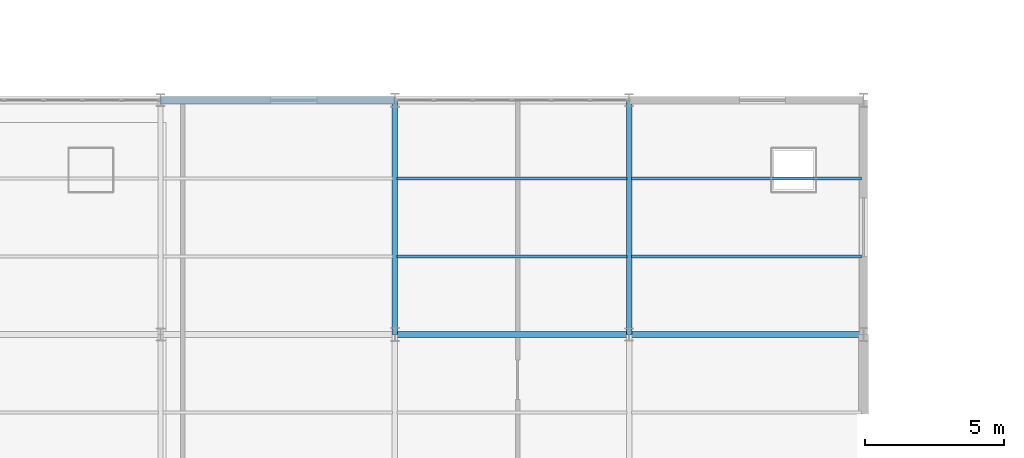
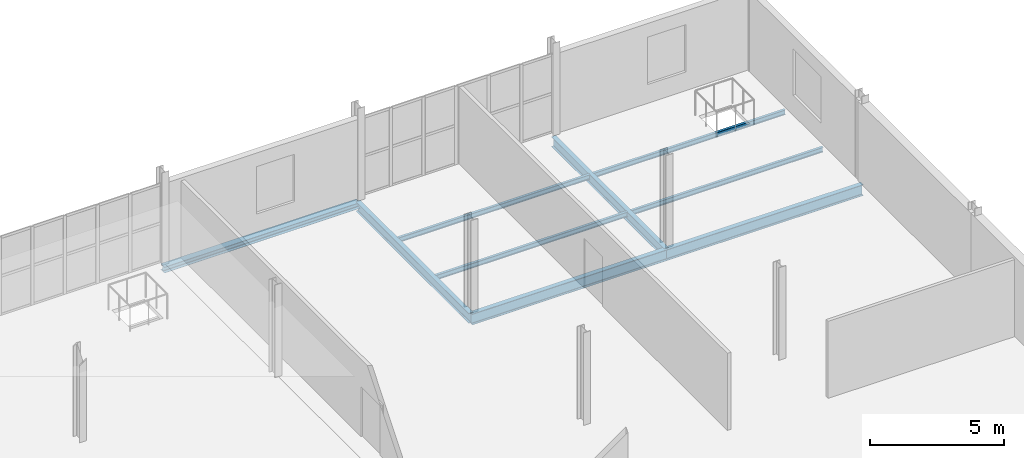
# One storey, part 28 of 65: 9 beams.
"""IFC4 building model written with IfcOpenShell, lengths in metres."""

from ifc_helpers import new_model, si_unit, direction, frame, origin, origin_2d, place, context, subcontext, project, spatial, i_section, extrude, material, material_profile, profile_set, type_object, element, save


model = new_model("IFC4")

# Units and contexts
model_context = context("Model", 3, precision=1e-05, world=origin(), true_north=direction((0.0, 1.0)))
body_context = subcontext(model_context, "Body", "Model", "MODEL_VIEW")
ifc_project = project(units=[si_unit("LENGTHUNIT", "METRE"), si_unit("AREAUNIT", "SQUARE_METRE"), si_unit("VOLUMEUNIT", "CUBIC_METRE"), si_unit("PLANEANGLEUNIT", "RADIAN"), si_unit("MASSUNIT", "GRAM", prefix="KILO")], contexts=[model_context])

# Site, building, storey
site_placement = place(None, origin())
site = spatial("IfcSite", under=ifc_project, at=site_placement, CompositionType="ELEMENT")
building_placement = place(site_placement, origin())
building = spatial("IfcBuilding", under=site, at=building_placement, Name="Qalvenar Corner Mobility Hub", CompositionType="ELEMENT")
storey_placement = place(building_placement, frame((0.0, 0.0, 17.39990234375)))
storey = spatial("IfcBuildingStorey", under=building, at=storey_placement, Name="L04", CompositionType="ELEMENT", Elevation=17.39990234375)

# Beams
ifc_material = material(Name="Steel S355", Category="steel")
ifc_material_profile_1 = material_profile(ifc_material, i_section(OverallWidth=0.18994140625, OverallDepth=0.449951171875, WebThickness=0.009521484375, FlangeThickness=0.0146484375, FilletRadius=0.02099609375, at=origin_2d()), Name="IPE450")
ifc_profile_set_1 = profile_set([ifc_material_profile_1], Name="Steel S355")
beam_type_1 = type_object("IfcBeamType", Name="BM-IPE450", PredefinedType="BEAM", material=ifc_profile_set_1)
for number, where, z_axis, x_axis, name in (
    (1, (33.60009765625, 33.60009765625, -0.40478515625), (0.0, 1.0, 0.0), (-1.0, 0.0, 0.0), "Primary Steel Girder GY-2651"),
    (2, (42.0, 33.60009765625, -0.40478515625), (0.0, 1.0, 0.0), (-1.0, 0.0, 0.0), "Primary Steel Girder GY-2656"),
):
    element("IfcBeam", number, at=place(storey_placement, frame(where, z_axis=z_axis, x_axis=x_axis)), inside=storey, type_object=beam_type_1, Name=name, PredefinedType="BEAM", context=body_context, shape_type="SweptSolid", body=[
        extrude(i_section(OverallWidth=0.18994140625, OverallDepth=0.449951171875, WebThickness=0.009521484375, FlangeThickness=0.0146484375, FilletRadius=0.02099609375, at=origin_2d()), origin(), (0.0, 0.0, 1.0), 8.39990234375),
    ])
ifc_material_profile_2 = material_profile(ifc_material, i_section(OverallWidth=0.199951171875, OverallDepth=0.5, WebThickness=0.01025390625, FlangeThickness=0.01611328125, FilletRadius=0.02099609375, at=origin_2d()), Name="IPE500")
ifc_profile_set_2 = profile_set([ifc_material_profile_2], Name="Steel S355")
beam_type_2 = type_object("IfcBeamType", Name="BM-IPE500", PredefinedType="BEAM", material=ifc_profile_set_2)
for number, where, z_axis, x_axis, name in (
    (3, (33.60009765625, 33.60009765625, -0.429931640625), (1.0, 0.0, 0.0), (0.0, 1.0, 0.0), "Primary Steel Girder GX-2619"),
    (4, (42.0, 33.60009765625, -0.429931640625), (1.0, 0.0, 0.0), (0.0, 1.0, 0.0), "Primary Steel Girder GX-2620"),
):
    element("IfcBeam", number, at=place(storey_placement, frame(where, z_axis=z_axis, x_axis=x_axis)), inside=storey, type_object=beam_type_2, Name=name, PredefinedType="BEAM", context=body_context, shape_type="SweptSolid", body=[
        extrude(i_section(OverallWidth=0.199951171875, OverallDepth=0.5, WebThickness=0.01025390625, FlangeThickness=0.01611328125, FilletRadius=0.02099609375, at=origin_2d()), origin(), (0.0, 0.0, 1.0), 8.39990234375),
    ])
ifc_material_profile_3 = material_profile(ifc_material, i_section(OverallWidth=0.110107421875, OverallDepth=0.219970703125, WebThickness=0.005859375, FlangeThickness=0.00927734375, FilletRadius=0.011962890625, at=origin_2d()), Name="IPE220")
ifc_profile_set_3 = profile_set([ifc_material_profile_3], Name="Steel S355")
beam_type_3 = type_object("IfcBeamType", Name="BM-JST220", PredefinedType="JOIST", material=ifc_profile_set_3)
for number, where, z_axis, x_axis, name in (
    (5, (33.677978515625, 36.39990234375, -0.289794921875), (1.0, 0.0, 0.0), (0.0, 1.0, 0.0), "Composite Floor Joist J-2707"),
    (6, (33.677978515625, 39.199951171875, -0.289794921875), (1.0, 0.0, 0.0), (0.0, 1.0, 0.0), "Composite Floor Joist J-2708"),
    (7, (42.077880859375, 36.39990234375, -0.289794921875), (1.0, 0.0, 0.0), (0.0, 1.0, 0.0), "Composite Floor Joist J-2717"),
    (8, (42.077880859375, 39.199951171875, -0.289794921875), (1.0, 0.0, 0.0), (0.0, 1.0, 0.0), "Composite Floor Joist J-2718"),
):
    element("IfcBeam", number, at=place(storey_placement, frame(where, z_axis=z_axis, x_axis=x_axis)), inside=storey, type_object=beam_type_3, Name=name, PredefinedType="JOIST", context=body_context, shape_type="SweptSolid", body=[
        extrude(i_section(OverallWidth=0.110107421875, OverallDepth=0.219970703125, WebThickness=0.005859375, FlangeThickness=0.00927734375, FilletRadius=0.011962890625, at=origin_2d()), origin(), (0.0, 0.0, 1.0), 8.244140625),
    ])
ifc_material_profile_4 = material_profile(ifc_material, i_section(OverallWidth=0.280029296875, OverallDepth=0.27001953125, WebThickness=0.008056640625, FlangeThickness=0.012939453125, FilletRadius=0.02392578125, at=origin_2d()), Name="HEA280")
ifc_profile_set_4 = profile_set([ifc_material_profile_4], Name="Steel S355")
beam_type_4 = type_object("IfcBeamType", Name="BM-SPN280", PredefinedType="SPANDREL", material=ifc_profile_set_4)
beam_placement = place(storey_placement, frame((25.199951171875, 42.0, -0.31494140625), z_axis=(1.0, 0.0, 0.0), x_axis=(0.0, 1.0, 0.0)))
element("IfcBeam", 9, at=beam_placement, inside=storey, type_object=beam_type_4, Name="Primary Steel Girder GX-2624", PredefinedType="SPANDREL", context=body_context, shape_type="SweptSolid", body=[
    extrude(i_section(OverallWidth=0.280029296875, OverallDepth=0.27001953125, WebThickness=0.008056640625, FlangeThickness=0.012939453125, FilletRadius=0.02392578125, at=origin_2d()), origin(), (0.0, 0.0, 1.0), 8.400146484375),
])

save(model, "model.ifc")
